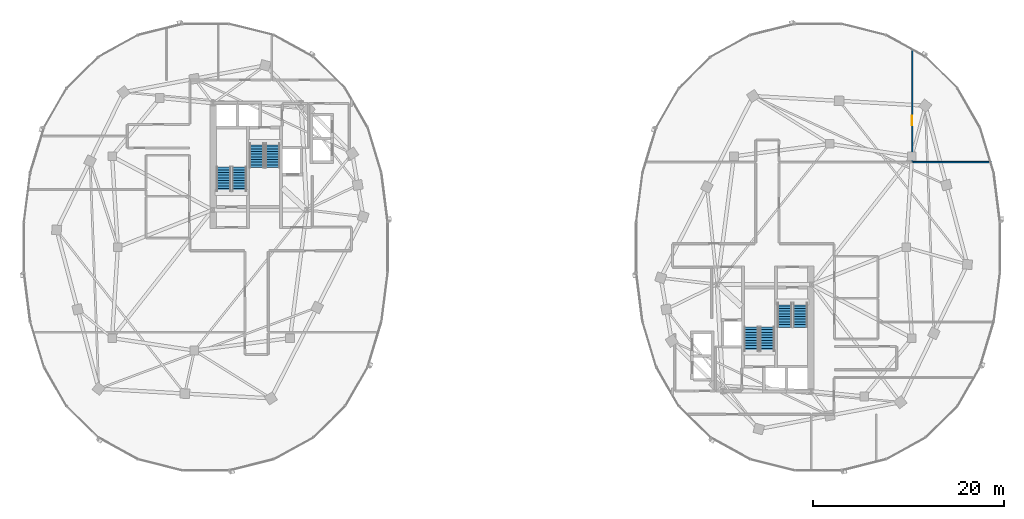
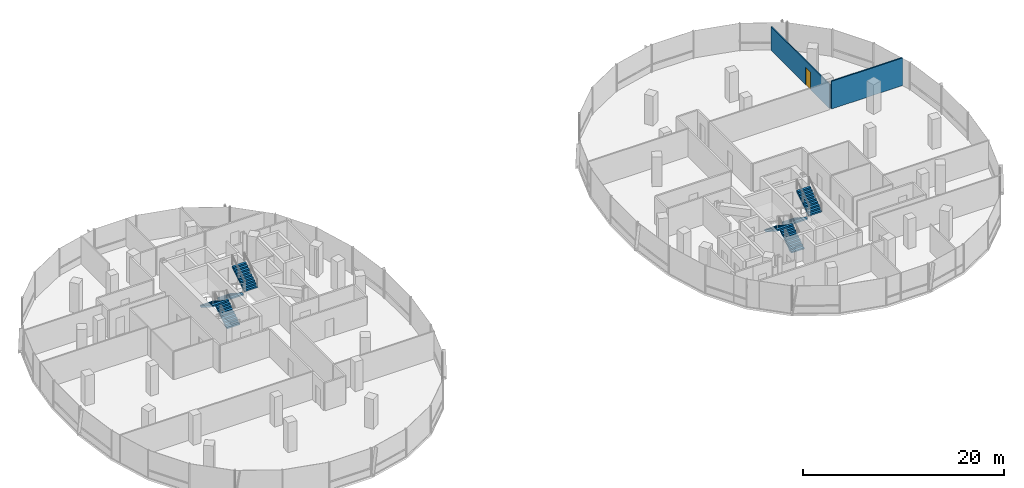
# One storey, part 15 of 22: 8 stair flights, 2 walls, 1 door, 1 opening, 4 elements without a shape of their own.
"""IFC4 building model written with IfcOpenShell, lengths in metres."""

from ifc_helpers import new_model, si_unit, direction, frame, frame_2d, origin, place, context, subcontext, project, spatial, polyline, rectangle, outline, extrude, material, layer, layer_set, type_object, element, fill, aggregate, save


model = new_model("IFC4")

# Units and contexts
model_context = context("Model", 3, precision=1e-05, world=origin(), true_north=direction((0.0, 1.0)))
body_context = subcontext(model_context, "Body", "Model", "MODEL_VIEW")
ifc_project = project(units=[si_unit("LENGTHUNIT", "METRE"), si_unit("AREAUNIT", "SQUARE_METRE"), si_unit("VOLUMEUNIT", "CUBIC_METRE"), si_unit("PLANEANGLEUNIT", "RADIAN"), si_unit("MASSUNIT", "GRAM", prefix="KILO"), si_unit("THERMODYNAMICTEMPERATUREUNIT", "KELVIN"), si_unit("POWERUNIT", "WATT")], contexts=[model_context])

# Site, building, storey
site_placement = place(None, origin())
site = spatial("IfcSite", under=ifc_project, at=site_placement, CompositionType="ELEMENT")
building_placement = place(site_placement, origin())
building = spatial("IfcBuilding", under=site, at=building_placement, Name="Cundina Bronze Exchange", CompositionType="ELEMENT")
storey_placement = place(building_placement, frame((0.0, 0.0, 162.0)))
storey = spatial("IfcBuildingStorey", under=building, at=storey_placement, Name="L42", CompositionType="ELEMENT", Elevation=162.0)

# Wall, opening, door
ifc_material_1 = material(Name="Gypsum Acoustic Partition EI60")
ifc_layer_1 = layer(ifc_material_1, 0.125, Name="Gypsum Acoustic Partition EI60")
ifc_layer_set_1 = layer_set([ifc_layer_1], Name="Gypsum Acoustic Partition EI60")
wall_type_1 = type_object("IfcWallType", Name="WL-OFF-125", PredefinedType="PARTITIONING", material=ifc_layer_set_1)
wall_1_placement = place(storey_placement, frame((41.830078125, 8.97998046875, 0.0), z_axis=(0.0, 0.0, 1.0), x_axis=(0.0, 1.0, 0.0)))
wall_1 = element("IfcWall", 1, at=wall_1_placement, inside=storey, type_object=wall_type_1, Name="L42 Interior Partition 081", PredefinedType="PARTITIONING", context=body_context, shape_type="SweptSolid", body=[
    extrude(rectangle(XDim=11.63818359375, YDim=0.125, at=frame_2d((5.819091796875, 0.0))), origin(), (0.0, 0.0, 1.0), 2.89697265625),
])
opening_placement = place(wall_1_placement, frame((3.759521484375, 0.0, 0.0)))
opening = element("IfcOpeningElement", 2, at=opening_placement, cuts=wall_1, Name="Opening DO-01", PredefinedType="OPENING", context=body_context, shape_type="SweptSolid", body=[
    extrude(rectangle(XDim=1.0, YDim=2.14990234375, at=frame_2d((0.5, 1.074951171875))), frame((0.0, 0.072509765625, 0.0), z_axis=(0.0, -1.0, 0.0), x_axis=(1.0, 0.0, 0.0)), (0.0, 0.0, 1.0), 0.14501953125),
])
ifc_material_2 = material(Name="Solid Andean Oak Timber Grade A", Category="wood")
door_type = type_object("IfcDoorType", Name="DR-OFF-1000", OperationType="NOTDEFINED", PredefinedType="DOOR", material=ifc_material_2)
door_placement = place(opening_placement, origin())
door = element("IfcDoor", 3, at=door_placement, inside=storey, type_object=door_type, Name="L42 Interior Door 081", OperationType="SINGLE_SWING_LEFT", OverallHeight=2.14990234375, OverallWidth=1.0, PredefinedType="DOOR", context=body_context, shape_type="SweptSolid", body=[
    extrude(rectangle(XDim=1.0, YDim=2.14990234375, at=frame_2d((0.5, 1.074951171875))), frame((0.0, 0.02490234375, 0.0), z_axis=(0.0, -1.0, 0.0), x_axis=(1.0, 0.0, 0.0)), (0.0, 0.0, 1.0), 0.050048828125),
])
fill(opening, door)

# Wall
ifc_layer_2 = layer(ifc_material_1, 0.14990234375, Name="Gypsum Acoustic Partition EI60")
ifc_layer_set_2 = layer_set([ifc_layer_2], Name="Gypsum Acoustic Partition EI60")
wall_type_2 = type_object("IfcWallType", Name="WL-TEN-150", PredefinedType="PARTITIONING", material=ifc_layer_set_2)
wall_2_placement = place(storey_placement, frame((41.9150390625, 8.889892578125, 0.0), z_axis=(0.0, 0.0, 1.0), x_axis=(1.0, 0.0, 0.0)))
element("IfcWall", 4, at=wall_2_placement, inside=storey, type_object=wall_type_2, Name="L42 Interior Partition 059", PredefinedType="PARTITIONING", context=body_context, shape_type="SweptSolid", body=[
    extrude(rectangle(XDim=8.166748046875, YDim=0.14990234375, at=frame_2d((4.08349609375, 0.0))), origin(), (0.0, 0.0, 1.0), 3.360107421875),
])

# Stair, stair flights
ifc_material_3 = material(Name="Concrete C40/50", Category="concrete")
stair_type = type_object("IfcStairType", Name="STR-OFF-360", PredefinedType="HALF_TURN_STAIR", material=ifc_material_3)
stair_1_placement = place(storey_placement, origin())
stair_1 = element("IfcStair", 5, at=stair_1_placement, inside=storey, type_object=stair_type, Name="L42 Smokeproof Exit Stair W1", PredefinedType="HALF_TURN_STAIR")
stair_flight_type = type_object("IfcStairFlightType", Name="FLG-OFF-180", PredefinedType="STRAIGHT", material=ifc_material_3)
stair_flight_1_placement = place(storey_placement, frame((-28.489990234375, 5.85009765625, 0.0), z_axis=(0.0, 0.0, 1.0), x_axis=(0.0, 1.0, 0.0)))
stair_flight_1 = element("IfcStairFlight", 6, at=stair_flight_1_placement, type_object=stair_flight_type, Name="ST-W1 flight 1", NumberOfRisers=10, NumberOfTreads=9, PredefinedType="STRAIGHT", RiserHeight=0.18, TreadLength=0.28, context=body_context, shape_type="SweptSolid", body=[
    extrude(outline(polyline([(0.0, 0.0), (0.0, 0.179931640625), (0.280029296875, 0.179931640625), (0.280029296875, 0.360107421875), (0.56005859375, 0.360107421875), (0.56005859375, 0.5400390625), (0.840087890625, 0.5400390625), (0.840087890625, 0.719970703125), (1.1201171875, 0.719970703125), (1.1201171875, 0.89990234375), (1.39990234375, 0.89990234375), (1.39990234375, 1.080078125), (1.679931640625, 1.080078125), (1.679931640625, 1.260009765625), (1.9599609375, 1.260009765625), (1.9599609375, 1.43994140625), (2.239990234375, 1.43994140625), (2.239990234375, 1.6201171875), (2.52001953125, 1.6201171875), (2.52001953125, 1.800048828125), (2.52001953125, 1.44189453125), (0.277099609375, 0.0), (0.0, 0.0)])), frame((0.0, 0.75, 0.0), z_axis=(0.0, -1.0, 0.0), x_axis=(1.0, 0.0, 0.0)), (0.0, 0.0, 1.0), 1.5),
])
stair_flight_2_placement = place(storey_placement, frame((-30.14990234375, 8.3701171875, 1.800048828125), z_axis=(0.0, 0.0, 1.0), x_axis=(0.0, -1.0, 0.0)))
stair_flight_2 = element("IfcStairFlight", 7, at=stair_flight_2_placement, type_object=stair_flight_type, Name="ST-W1 flight 2", NumberOfRisers=10, NumberOfTreads=9, PredefinedType="STRAIGHT", RiserHeight=0.18, TreadLength=0.28, context=body_context, shape_type="SweptSolid", body=[
    extrude(outline(polyline([(0.0, 0.0), (0.0, 0.179931640625), (0.280029296875, 0.179931640625), (0.280029296875, 0.360107421875), (0.56005859375, 0.360107421875), (0.56005859375, 0.5400390625), (0.840087890625, 0.5400390625), (0.840087890625, 0.719970703125), (1.1201171875, 0.719970703125), (1.1201171875, 0.89990234375), (1.39990234375, 0.89990234375), (1.39990234375, 1.080078125), (1.679931640625, 1.080078125), (1.679931640625, 1.260009765625), (1.9599609375, 1.260009765625), (1.9599609375, 1.43994140625), (2.239990234375, 1.43994140625), (2.239990234375, 1.6201171875), (2.52001953125, 1.6201171875), (2.52001953125, 1.800048828125), (2.52001953125, 1.44189453125), (0.277099609375, 0.0), (0.0, 0.0)])), frame((0.0, 0.75, 0.0), z_axis=(0.0, -1.0, 0.0), x_axis=(1.0, 0.0, 0.0)), (0.0, 0.0, 1.0), 1.5),
])
aggregate(stair_1, [stair_flight_1, stair_flight_2])

stair_2_placement = place(storey_placement, origin())
stair_2 = element("IfcStair", 8, at=stair_2_placement, inside=storey, type_object=stair_type, Name="L42 Smokeproof Exit Stair W2", PredefinedType="HALF_TURN_STAIR")
stair_flight_3_placement = place(storey_placement, frame((-26.68994140625, 10.85009765625, 0.0), z_axis=(0.0, 0.0, 1.0), x_axis=(0.0, -1.0, 0.0)))
stair_flight_3 = element("IfcStairFlight", 9, at=stair_flight_3_placement, type_object=stair_flight_type, Name="ST-W2 flight 1", NumberOfRisers=10, NumberOfTreads=9, PredefinedType="STRAIGHT", RiserHeight=0.18, TreadLength=0.28, context=body_context, shape_type="SweptSolid", body=[
    extrude(outline(polyline([(0.0, 0.0), (0.0, 0.179931640625), (0.280029296875, 0.179931640625), (0.280029296875, 0.360107421875), (0.56005859375, 0.360107421875), (0.56005859375, 0.5400390625), (0.840087890625, 0.5400390625), (0.840087890625, 0.719970703125), (1.1201171875, 0.719970703125), (1.1201171875, 0.89990234375), (1.39990234375, 0.89990234375), (1.39990234375, 1.080078125), (1.679931640625, 1.080078125), (1.679931640625, 1.260009765625), (1.9599609375, 1.260009765625), (1.9599609375, 1.43994140625), (2.239990234375, 1.43994140625), (2.239990234375, 1.6201171875), (2.52001953125, 1.6201171875), (2.52001953125, 1.800048828125), (2.52001953125, 1.44189453125), (0.277099609375, 0.0), (0.0, 0.0)])), frame((0.0, 0.75, 0.0), z_axis=(0.0, -1.0, 0.0), x_axis=(1.0, 0.0, 0.0)), (0.0, 0.0, 1.0), 1.5),
])
stair_flight_4_placement = place(storey_placement, frame((-25.030029296875, 8.330078125, 1.800048828125), z_axis=(0.0, 0.0, 1.0), x_axis=(0.0, 1.0, 0.0)))
stair_flight_4 = element("IfcStairFlight", 10, at=stair_flight_4_placement, type_object=stair_flight_type, Name="ST-W2 flight 2", NumberOfRisers=10, NumberOfTreads=9, PredefinedType="STRAIGHT", RiserHeight=0.18, TreadLength=0.28, context=body_context, shape_type="SweptSolid", body=[
    extrude(outline(polyline([(0.0, 0.0), (0.0, 0.179931640625), (0.280029296875, 0.179931640625), (0.280029296875, 0.360107421875), (0.56005859375, 0.360107421875), (0.56005859375, 0.5400390625), (0.840087890625, 0.5400390625), (0.840087890625, 0.719970703125), (1.1201171875, 0.719970703125), (1.1201171875, 0.89990234375), (1.39990234375, 0.89990234375), (1.39990234375, 1.080078125), (1.679931640625, 1.080078125), (1.679931640625, 1.260009765625), (1.9599609375, 1.260009765625), (1.9599609375, 1.43994140625), (2.239990234375, 1.43994140625), (2.239990234375, 1.6201171875), (2.52001953125, 1.6201171875), (2.52001953125, 1.800048828125), (2.52001953125, 1.44189453125), (0.277099609375, 0.0), (0.0, 0.0)])), frame((0.0, 0.75, 0.0), z_axis=(0.0, -1.0, 0.0), x_axis=(1.0, 0.0, 0.0)), (0.0, 0.0, 1.0), 1.5),
])
aggregate(stair_2, [stair_flight_3, stair_flight_4])

stair_3_placement = place(storey_placement, origin())
stair_3 = element("IfcStair", 11, at=stair_3_placement, inside=storey, type_object=stair_type, Name="L42 Smokeproof Exit Stair E1", PredefinedType="HALF_TURN_STAIR")
stair_flight_5_placement = place(storey_placement, frame((28.489990234375, -5.85009765625, 0.0), z_axis=(0.0, 0.0, 1.0), x_axis=(0.0, -1.0, 0.0)))
stair_flight_5 = element("IfcStairFlight", 12, at=stair_flight_5_placement, type_object=stair_flight_type, Name="ST-E1 flight 1", NumberOfRisers=10, NumberOfTreads=9, PredefinedType="STRAIGHT", RiserHeight=0.18, TreadLength=0.28, context=body_context, shape_type="SweptSolid", body=[
    extrude(outline(polyline([(0.0, 0.0), (0.0, 0.179931640625), (0.280029296875, 0.179931640625), (0.280029296875, 0.360107421875), (0.56005859375, 0.360107421875), (0.56005859375, 0.5400390625), (0.840087890625, 0.5400390625), (0.840087890625, 0.719970703125), (1.1201171875, 0.719970703125), (1.1201171875, 0.89990234375), (1.39990234375, 0.89990234375), (1.39990234375, 1.080078125), (1.679931640625, 1.080078125), (1.679931640625, 1.260009765625), (1.9599609375, 1.260009765625), (1.9599609375, 1.43994140625), (2.239990234375, 1.43994140625), (2.239990234375, 1.6201171875), (2.52001953125, 1.6201171875), (2.52001953125, 1.800048828125), (2.52001953125, 1.44189453125), (0.277099609375, 0.0), (0.0, 0.0)])), frame((0.0, 0.75, 0.0), z_axis=(0.0, -1.0, 0.0), x_axis=(1.0, 0.0, 0.0)), (0.0, 0.0, 1.0), 1.5),
])
stair_flight_6_placement = place(storey_placement, frame((30.14990234375, -8.3701171875, 1.800048828125), z_axis=(0.0, 0.0, 1.0), x_axis=(0.0, 1.0, 0.0)))
stair_flight_6 = element("IfcStairFlight", 13, at=stair_flight_6_placement, type_object=stair_flight_type, Name="ST-E1 flight 2", NumberOfRisers=10, NumberOfTreads=9, PredefinedType="STRAIGHT", RiserHeight=0.18, TreadLength=0.28, context=body_context, shape_type="SweptSolid", body=[
    extrude(outline(polyline([(0.0, 0.0), (0.0, 0.179931640625), (0.280029296875, 0.179931640625), (0.280029296875, 0.360107421875), (0.56005859375, 0.360107421875), (0.56005859375, 0.5400390625), (0.840087890625, 0.5400390625), (0.840087890625, 0.719970703125), (1.1201171875, 0.719970703125), (1.1201171875, 0.89990234375), (1.39990234375, 0.89990234375), (1.39990234375, 1.080078125), (1.679931640625, 1.080078125), (1.679931640625, 1.260009765625), (1.9599609375, 1.260009765625), (1.9599609375, 1.43994140625), (2.239990234375, 1.43994140625), (2.239990234375, 1.6201171875), (2.52001953125, 1.6201171875), (2.52001953125, 1.800048828125), (2.52001953125, 1.44189453125), (0.277099609375, 0.0), (0.0, 0.0)])), frame((0.0, 0.75, 0.0), z_axis=(0.0, -1.0, 0.0), x_axis=(1.0, 0.0, 0.0)), (0.0, 0.0, 1.0), 1.5),
])
aggregate(stair_3, [stair_flight_5, stair_flight_6])

stair_4_placement = place(storey_placement, origin())
stair_4 = element("IfcStair", 14, at=stair_4_placement, inside=storey, type_object=stair_type, Name="L42 Smokeproof Exit Stair E2", PredefinedType="HALF_TURN_STAIR")
stair_flight_7_placement = place(storey_placement, frame((26.68994140625, -10.85009765625, 0.0), z_axis=(0.0, 0.0, 1.0), x_axis=(0.0, 1.0, 0.0)))
stair_flight_7 = element("IfcStairFlight", 15, at=stair_flight_7_placement, type_object=stair_flight_type, Name="ST-E2 flight 1", NumberOfRisers=10, NumberOfTreads=9, PredefinedType="STRAIGHT", RiserHeight=0.18, TreadLength=0.28, context=body_context, shape_type="SweptSolid", body=[
    extrude(outline(polyline([(0.0, 0.0), (0.0, 0.179931640625), (0.280029296875, 0.179931640625), (0.280029296875, 0.360107421875), (0.56005859375, 0.360107421875), (0.56005859375, 0.5400390625), (0.840087890625, 0.5400390625), (0.840087890625, 0.719970703125), (1.1201171875, 0.719970703125), (1.1201171875, 0.89990234375), (1.39990234375, 0.89990234375), (1.39990234375, 1.080078125), (1.679931640625, 1.080078125), (1.679931640625, 1.260009765625), (1.9599609375, 1.260009765625), (1.9599609375, 1.43994140625), (2.239990234375, 1.43994140625), (2.239990234375, 1.6201171875), (2.52001953125, 1.6201171875), (2.52001953125, 1.800048828125), (2.52001953125, 1.44189453125), (0.277099609375, 0.0), (0.0, 0.0)])), frame((0.0, 0.75, 0.0), z_axis=(0.0, -1.0, 0.0), x_axis=(1.0, 0.0, 0.0)), (0.0, 0.0, 1.0), 1.5),
])
stair_flight_8_placement = place(storey_placement, frame((25.030029296875, -8.330078125, 1.800048828125), z_axis=(0.0, 0.0, 1.0), x_axis=(0.0, -1.0, 0.0)))
stair_flight_8 = element("IfcStairFlight", 16, at=stair_flight_8_placement, type_object=stair_flight_type, Name="ST-E2 flight 2", NumberOfRisers=10, NumberOfTreads=9, PredefinedType="STRAIGHT", RiserHeight=0.18, TreadLength=0.28, context=body_context, shape_type="SweptSolid", body=[
    extrude(outline(polyline([(0.0, 0.0), (0.0, 0.179931640625), (0.280029296875, 0.179931640625), (0.280029296875, 0.360107421875), (0.56005859375, 0.360107421875), (0.56005859375, 0.5400390625), (0.840087890625, 0.5400390625), (0.840087890625, 0.719970703125), (1.1201171875, 0.719970703125), (1.1201171875, 0.89990234375), (1.39990234375, 0.89990234375), (1.39990234375, 1.080078125), (1.679931640625, 1.080078125), (1.679931640625, 1.260009765625), (1.9599609375, 1.260009765625), (1.9599609375, 1.43994140625), (2.239990234375, 1.43994140625), (2.239990234375, 1.6201171875), (2.52001953125, 1.6201171875), (2.52001953125, 1.800048828125), (2.52001953125, 1.44189453125), (0.277099609375, 0.0), (0.0, 0.0)])), frame((0.0, 0.75, 0.0), z_axis=(0.0, -1.0, 0.0), x_axis=(1.0, 0.0, 0.0)), (0.0, 0.0, 1.0), 1.5),
])
aggregate(stair_4, [stair_flight_7, stair_flight_8])

save(model, "model.ifc")
